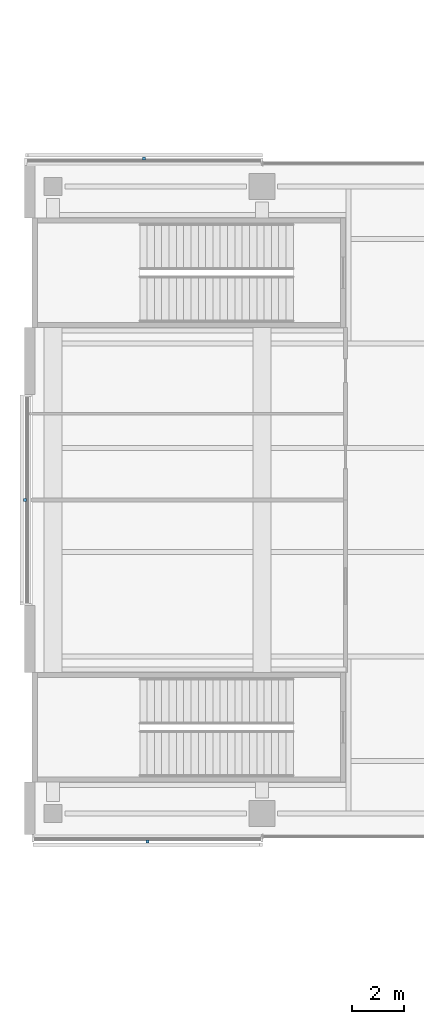
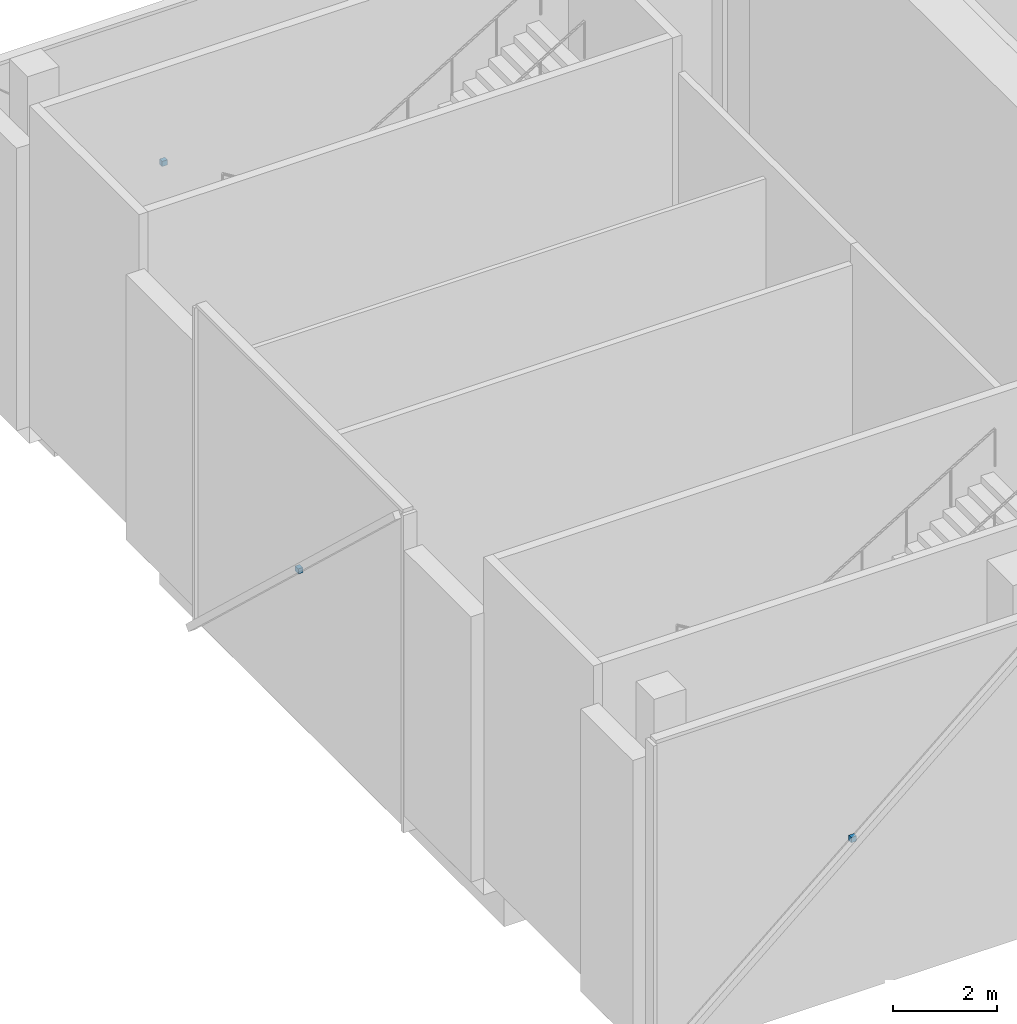
# One storey, part 21 of 25: 3 discrete accessories.
"""IFC4 building model written with IfcOpenShell, lengths in metres."""

from ifc_helpers import new_model, si_unit, direction, frame, origin, origin_2d, place, context, subcontext, project, spatial, rectangle, extrude, material, type_object, element, save


model = new_model("IFC4")

# Units and contexts
model_context = context("Model", 3, precision=1e-05, world=origin(), true_north=direction((0.0, 1.0)))
body_context = subcontext(model_context, "Body", "Model", "MODEL_VIEW")
ifc_project = project(units=[si_unit("LENGTHUNIT", "METRE"), si_unit("AREAUNIT", "SQUARE_METRE"), si_unit("VOLUMEUNIT", "CUBIC_METRE"), si_unit("PLANEANGLEUNIT", "RADIAN"), si_unit("MASSUNIT", "GRAM", prefix="KILO")], contexts=[model_context])

# Site, building, storey
site_placement = place(None, origin())
site = spatial("IfcSite", under=ifc_project, at=site_placement, CompositionType="ELEMENT")
building_placement = place(site_placement, origin())
building = spatial("IfcBuilding", under=site, at=building_placement, Name="Crosswind Convention Tower", CompositionType="ELEMENT")
storey_placement = place(building_placement, frame((0.0, 0.0, 10.0)))
storey = spatial("IfcBuildingStorey", under=building, at=storey_placement, Name="L01", CompositionType="ELEMENT", Elevation=10.0)

# Discrete accessories
ifc_material = material(Name="Stainless steel", Category="steel")
discrete_accessory_type = type_object("IfcDiscreteAccessoryType", Name="BAGUETTE BRACKET BK1", PredefinedType="BRACKET", material=ifc_material)
for number, where, z_axis, x_axis, name in (
    (1, (84.4775390625, 113.073974609375, 3.25), (0.0, 0.0, 1.0), (-1.0, 0.0, 0.0), "BK1 baguette bracket"),
    (2, (79.926025390625, 100.0, 3.25), (0.0, 0.0, 1.0), (0.0, -1.0, 0.0), "BK1 baguette bracket"),
    (3, (84.6201171875, 86.926025390625, 3.25), (0.0, 0.0, 1.0), (1.0, 0.0, 0.0), "BK1 baguette bracket"),
):
    element("IfcDiscreteAccessory", number, at=place(storey_placement, frame(where, z_axis=z_axis, x_axis=x_axis)), inside=storey, type_object=discrete_accessory_type, Name=name, PredefinedType="BRACKET", context=body_context, shape_type="SweptSolid", body=[
        extrude(rectangle(XDim=0.1201171875, YDim=0.10009765625, at=origin_2d()), origin(), (0.0, 0.0, 1.0), 0.1201171875),
    ])

save(model, "model.ifc")
